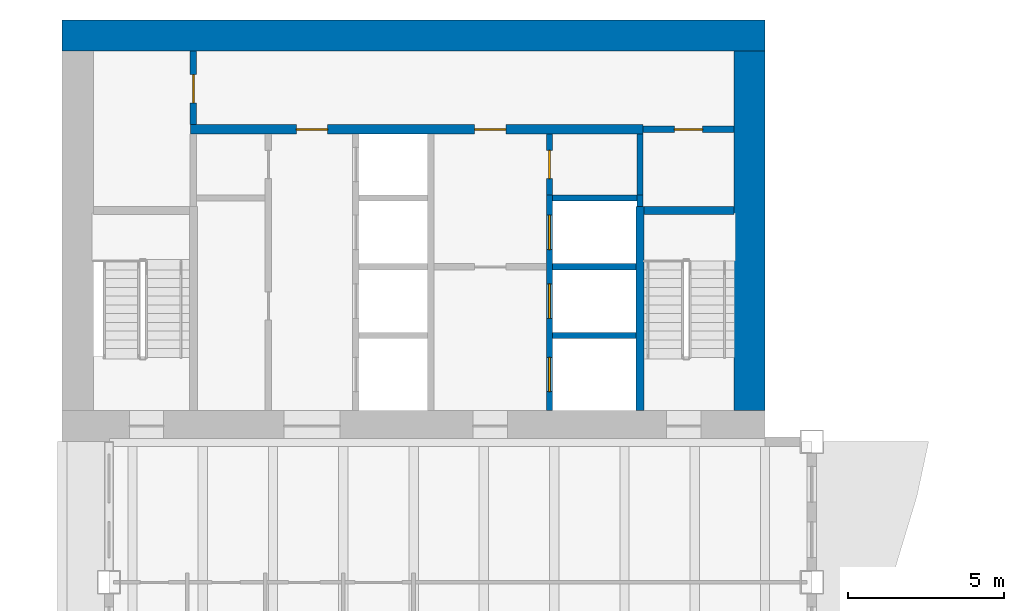
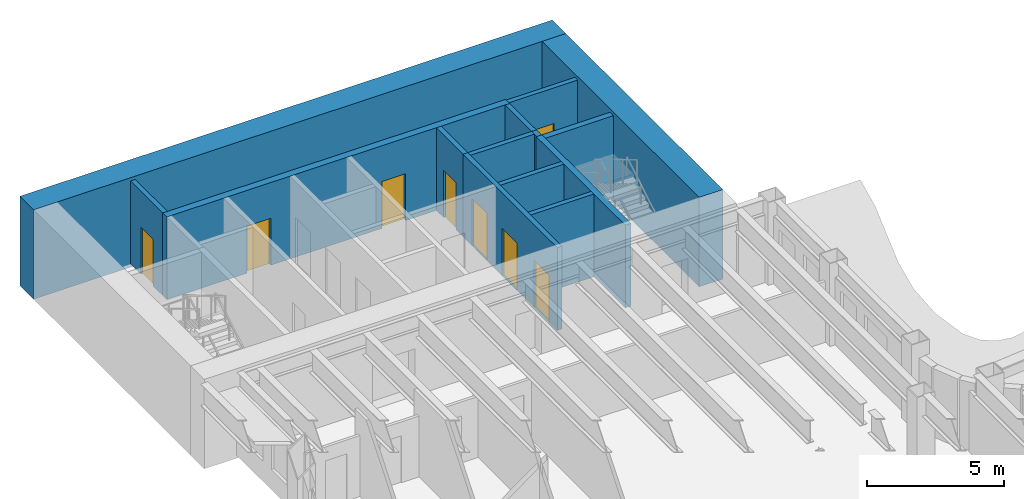
# One storey, part 9 of 16: 14 walls, 8 doors, 8 openings.
"""IFC4 building model written with IfcOpenShell, lengths in metres."""

from ifc_helpers import new_model, si_unit, direction, frame, frame_2d, origin, place, context, subcontext, project, spatial, rectangle, extrude, material, layer, layer_set, type_object, element, fill, save


model = new_model("IFC4")

# Units and contexts
model_context = context("Model", 3, precision=1e-05, world=origin(), true_north=direction((0.0, 1.0)))
body_context = subcontext(model_context, "Body", "Model", "MODEL_VIEW")
ifc_project = project(units=[si_unit("LENGTHUNIT", "METRE"), si_unit("AREAUNIT", "SQUARE_METRE"), si_unit("VOLUMEUNIT", "CUBIC_METRE"), si_unit("PLANEANGLEUNIT", "RADIAN"), si_unit("MASSUNIT", "GRAM", prefix="KILO")], contexts=[model_context])

# Site, building, storey
site_placement = place(None, origin())
site = spatial("IfcSite", under=ifc_project, at=site_placement, CompositionType="ELEMENT")
building_placement = place(site_placement, origin())
building = spatial("IfcBuilding", under=site, at=building_placement, Name="Sennacour Bend Tower", CompositionType="ELEMENT")
storey_placement = place(building_placement, frame((0.0, 0.0, 239.0)))
storey = spatial("IfcBuildingStorey", under=building, at=storey_placement, Name="L55", CompositionType="ELEMENT", Elevation=239.0)

# Walls
ifc_material_1 = material(Name="Concrete C60/75", Category="concrete")
ifc_layer_1 = layer(ifc_material_1, 1.0, Name="Concrete C60/75", Category="concrete")
ifc_layer_set_1 = layer_set([ifc_layer_1], Name="Concrete C60/75")
wall_type_1 = type_object("IfcWallType", Name="Core wall 1000 C60/75", PredefinedType="SHEAR", material=ifc_layer_set_1)
wall_1_placement = place(storey_placement, frame((0.0, 49.0, -0.14990234375), z_axis=(0.0, 0.0, 1.0), x_axis=(1.0, 0.0, 0.0)))
element("IfcWall", 1, at=wall_1_placement, inside=storey, type_object=wall_type_1, Name="Core B wall L55 N", PredefinedType="SHEAR", context=body_context, shape_type="SweptSolid", body=[
    extrude(rectangle(XDim=22.5, YDim=1.0, at=frame_2d((11.25, 0.0))), origin(), (0.0, 0.0, 1.0), 4.0),
])
wall_2_placement = place(storey_placement, frame((22.0, 37.0, -0.14990234375), z_axis=(0.0, 0.0, 1.0), x_axis=(0.0, 1.0, 0.0)))
element("IfcWall", 2, at=wall_2_placement, inside=storey, type_object=wall_type_1, Name="Core B wall L55 E", PredefinedType="SHEAR", context=body_context, shape_type="SweptSolid", body=[
    extrude(rectangle(XDim=11.5, YDim=1.0, at=frame_2d((5.75, 0.0))), origin(), (0.0, 0.0, 1.0), 4.0),
])

# Wall, opening, door
ifc_material_2 = material(Name="Fire-rated plasterboard partition on steel studs", Category="steel")
ifc_layer_2 = layer(ifc_material_2, 0.199951171875, Name="Fire-rated plasterboard partition on steel studs", Category="steel")
ifc_layer_set_2 = layer_set([ifc_layer_2], Name="Fire-rated plasterboard partition on steel studs")
wall_type_2 = type_object("IfcWallType", Name="Rated partition 200", PredefinedType="PARTITIONING", material=ifc_layer_set_2)
wall_3_placement = place(storey_placement, frame((4.199951171875, 46.14990234375, 0.0), z_axis=(0.0, 0.0, 1.0), x_axis=(0.0, 1.0, 0.0)))
wall_3 = element("IfcWall", 3, at=wall_3_placement, inside=storey, type_object=wall_type_2, Name="P-L55-W006b", PredefinedType="PARTITIONING", context=body_context, shape_type="SweptSolid", body=[
    extrude(rectangle(XDim=2.35009765625, YDim=0.199951171875, at=frame_2d((1.175048828125, 0.0))), origin(), (0.0, 0.0, 1.0), 3.699951171875),
])
opening_1_placement = place(wall_3_placement, frame((0.7001953125, 0.0, 0.0)))
opening_1 = element("IfcOpeningElement", 4, at=opening_1_placement, cuts=wall_3, Name="Opening SV", PredefinedType="OPENING", context=body_context, shape_type="SweptSolid", body=[
    extrude(rectangle(XDim=0.89990234375, YDim=2.10009765625, at=frame_2d((0.449951171875, 1.050048828125))), frame((0.0, 0.10986328125, 0.0), z_axis=(0.0, -1.0, 0.0), x_axis=(1.0, 0.0, 0.0)), (0.0, 0.0, 1.0), 0.219970703125),
])
ifc_material_3 = material(Name="Painted steel", Category="steel")
door_type_1 = type_object("IfcDoorType", Name="DR-SERVICE-900", OperationType="NOTDEFINED", PredefinedType="DOOR", material=ifc_material_3)
door_1_placement = place(opening_1_placement, origin())
door_1 = element("IfcDoor", 5, at=door_1_placement, inside=storey, type_object=door_type_1, Name="Door", OperationType="SINGLE_SWING_LEFT", OverallHeight=2.10009765625, OverallWidth=0.89990234375, PredefinedType="DOOR", context=body_context, shape_type="SweptSolid", body=[
    extrude(rectangle(XDim=0.89990234375, YDim=2.10009765625, at=frame_2d((0.449951171875, 1.050048828125))), frame((0.0, 0.02490234375, 0.0), z_axis=(0.0, -1.0, 0.0), x_axis=(1.0, 0.0, 0.0)), (0.0, 0.0, 1.0), 0.050048828125),
])
fill(opening_1, door_1)

wall_4_placement = place(storey_placement, frame((15.60009765625, 43.89990234375, 0.0), z_axis=(0.0, 0.0, 1.0), x_axis=(0.0, 1.0, 0.0)))
wall_4 = element("IfcWall", 6, at=wall_4_placement, inside=storey, type_object=wall_type_2, Name="P-L55-W016", PredefinedType="PARTITIONING", context=body_context, shape_type="SweptSolid", body=[
    extrude(rectangle(XDim=1.9501953125, YDim=0.199951171875, at=frame_2d((0.97509765625, 0.0))), origin(), (0.0, 0.0, 1.0), 3.699951171875),
])
opening_2_placement = place(wall_4_placement, frame((0.525146484375, 0.0, 0.0)))
opening_2 = element("IfcOpeningElement", 7, at=opening_2_placement, cuts=wall_4, Name="Opening SV", PredefinedType="OPENING", context=body_context, shape_type="SweptSolid", body=[
    extrude(rectangle(XDim=0.89990234375, YDim=2.10009765625, at=frame_2d((0.449951171875, 1.050048828125))), frame((0.0, 0.10986328125, 0.0), z_axis=(0.0, -1.0, 0.0), x_axis=(1.0, 0.0, 0.0)), (0.0, 0.0, 1.0), 0.219970703125),
])
door_2_placement = place(opening_2_placement, origin())
door_2 = element("IfcDoor", 8, at=door_2_placement, inside=storey, type_object=door_type_1, Name="Door", OperationType="SINGLE_SWING_RIGHT", OverallHeight=2.10009765625, OverallWidth=0.89990234375, PredefinedType="DOOR", context=body_context, shape_type="SweptSolid", body=[
    extrude(rectangle(XDim=0.89990234375, YDim=2.10009765625, at=frame_2d((0.449951171875, 1.050048828125))), frame((0.0, 0.02490234375, 0.0), z_axis=(0.0, -1.0, 0.0), x_axis=(1.0, 0.0, 0.0)), (0.0, 0.0, 1.0), 0.050048828125),
])
fill(opening_2, door_2)

# Wall
wall_5_placement = place(storey_placement, frame((18.5, 43.89990234375, 0.0), z_axis=(0.0, 0.0, 1.0), x_axis=(0.0, 1.0, 0.0)))
element("IfcWall", 9, at=wall_5_placement, inside=storey, type_object=wall_type_2, Name="P-L55-W020", PredefinedType="PARTITIONING", context=body_context, shape_type="SweptSolid", body=[
    extrude(rectangle(XDim=1.9501953125, YDim=0.199951171875, at=frame_2d((0.97509765625, 0.0))), origin(), (0.0, 0.0, 1.0), 3.699951171875),
])

# Wall, opening, door
wall_6_placement = place(storey_placement, frame((18.60009765625, 46.0, 0.0), z_axis=(0.0, 0.0, 1.0), x_axis=(1.0, 0.0, 0.0)))
wall_6 = element("IfcWall", 10, at=wall_6_placement, inside=storey, type_object=wall_type_2, Name="P-L55-W089", PredefinedType="PARTITIONING", context=body_context, shape_type="SweptSolid", body=[
    extrude(rectangle(XDim=2.89990234375, YDim=0.199951171875, at=frame_2d((1.449951171875, 0.0))), origin(), (0.0, 0.0, 1.0), 3.699951171875),
])
opening_3_placement = place(wall_6_placement, frame((1.0, 0.0, 0.0)))
opening_3 = element("IfcOpeningElement", 11, at=opening_3_placement, cuts=wall_6, Name="Opening SV", PredefinedType="OPENING", context=body_context, shape_type="SweptSolid", body=[
    extrude(rectangle(XDim=0.89990234375, YDim=2.10009765625, at=frame_2d((0.449951171875, 1.050048828125))), frame((0.0, 0.10986328125, 0.0), z_axis=(0.0, -1.0, 0.0), x_axis=(1.0, 0.0, 0.0)), (0.0, 0.0, 1.0), 0.219970703125),
])
door_3_placement = place(opening_3_placement, origin())
door_3 = element("IfcDoor", 12, at=door_3_placement, inside=storey, type_object=door_type_1, Name="Door", OperationType="SINGLE_SWING_LEFT", OverallHeight=2.10009765625, OverallWidth=0.89990234375, PredefinedType="DOOR", context=body_context, shape_type="SweptSolid", body=[
    extrude(rectangle(XDim=0.89990234375, YDim=2.10009765625, at=frame_2d((0.449951171875, 1.050048828125))), frame((0.0, 0.02490234375, 0.0), z_axis=(0.0, -1.0, 0.0), x_axis=(1.0, 0.0, 0.0)), (0.0, 0.0, 1.0), 0.050048828125),
])
fill(opening_3, door_3)

# Wall, openings, doors
ifc_material_4 = material(Name="Concrete C50/60", Category="concrete")
ifc_layer_3 = layer(ifc_material_4, 0.199951171875, Name="Concrete C50/60", Category="concrete")
ifc_layer_set_3 = layer_set([ifc_layer_3], Name="Concrete C50/60")
wall_type_3 = type_object("IfcWallType", Name="Shaft wall 200", PredefinedType="SOLIDWALL", material=ifc_layer_set_3)
wall_7_placement = place(storey_placement, frame((15.60009765625, 37.0, 0.0), z_axis=(0.0, 0.0, 1.0), x_axis=(0.0, 1.0, 0.0)))
wall_7 = element("IfcWall", 13, at=wall_7_placement, inside=storey, type_object=wall_type_3, Name="P-L55-W015", PredefinedType="SOLIDWALL", context=body_context, shape_type="SweptSolid", body=[
    extrude(rectangle(XDim=6.89990234375, YDim=0.199951171875, at=frame_2d((3.449951171875, 0.0))), origin(), (0.0, 0.0, 1.0), 3.699951171875),
])
opening_4_placement = place(wall_7_placement, frame((0.60009765625, 0.0, 0.011962890625)))
opening_4 = element("IfcOpeningElement", 14, at=opening_4_placement, cuts=wall_7, Name="Opening FLD", PredefinedType="OPENING", context=body_context, shape_type="SweptSolid", body=[
    extrude(rectangle(XDim=1.10009765625, YDim=2.10009765625, at=frame_2d((0.550048828125, 1.050048828125))), frame((0.0, 0.10986328125, 0.0), z_axis=(0.0, -1.0, 0.0), x_axis=(1.0, 0.0, 0.0)), (0.0, 0.0, 1.0), 0.219970703125),
])
opening_5_placement = place(wall_7_placement, frame((2.949951171875, 0.0, 0.011962890625)))
opening_5 = element("IfcOpeningElement", 15, at=opening_5_placement, cuts=wall_7, Name="Opening FLD", PredefinedType="OPENING", context=body_context, shape_type="SweptSolid", body=[
    extrude(rectangle(XDim=1.10009765625, YDim=2.10009765625, at=frame_2d((0.550048828125, 1.050048828125))), frame((0.0, 0.10986328125, 0.0), z_axis=(0.0, -1.0, 0.0), x_axis=(1.0, 0.0, 0.0)), (0.0, 0.0, 1.0), 0.219970703125),
])
opening_6_placement = place(wall_7_placement, frame((5.14990234375, 0.0, 0.011962890625)))
opening_6 = element("IfcOpeningElement", 16, at=opening_6_placement, cuts=wall_7, Name="Opening LD", PredefinedType="OPENING", context=body_context, shape_type="SweptSolid", body=[
    extrude(rectangle(XDim=1.10009765625, YDim=2.10009765625, at=frame_2d((0.550048828125, 1.050048828125))), frame((0.0, 0.10986328125, 0.0), z_axis=(0.0, -1.0, 0.0), x_axis=(1.0, 0.0, 0.0)), (0.0, 0.0, 1.0), 0.219970703125),
])
ifc_material_5 = material(Name="Stainless steel", Category="steel")
door_type_2 = type_object("IfcDoorType", Name="DR-FF-LANDING-1100", OperationType="NOTDEFINED", PredefinedType="DOOR", material=ifc_material_5)
door_4_placement = place(opening_4_placement, origin())
door_4 = element("IfcDoor", 17, at=door_4_placement, inside=storey, type_object=door_type_2, Name="Fire service lift landing door FB1", OperationType="SLIDING_TO_RIGHT", OverallHeight=2.10009765625, OverallWidth=1.10009765625, PredefinedType="DOOR", context=body_context, shape_type="SweptSolid", body=[
    extrude(rectangle(XDim=1.10009765625, YDim=2.10009765625, at=frame_2d((0.550048828125, 1.050048828125))), frame((0.0, 0.02490234375, 0.0), z_axis=(0.0, -1.0, 0.0), x_axis=(1.0, 0.0, 0.0)), (0.0, 0.0, 1.0), 0.050048828125),
])
fill(opening_4, door_4)
door_5_placement = place(opening_5_placement, origin())
door_5 = element("IfcDoor", 18, at=door_5_placement, inside=storey, type_object=door_type_2, Name="Fire service lift landing door FB2", OperationType="SLIDING_TO_LEFT", OverallHeight=2.10009765625, OverallWidth=1.10009765625, PredefinedType="DOOR", context=body_context, shape_type="SweptSolid", body=[
    extrude(rectangle(XDim=1.10009765625, YDim=2.10009765625, at=frame_2d((0.550048828125, 1.050048828125))), frame((0.0, 0.02490234375, 0.0), z_axis=(0.0, -1.0, 0.0), x_axis=(1.0, 0.0, 0.0)), (0.0, 0.0, 1.0), 0.050048828125),
])
fill(opening_5, door_5)
door_type_3 = type_object("IfcDoorType", Name="DR-LANDING-1100", OperationType="NOTDEFINED", PredefinedType="DOOR", material=ifc_material_5)
door_6_placement = place(opening_6_placement, origin())
door_6 = element("IfcDoor", 19, at=door_6_placement, inside=storey, type_object=door_type_3, Name="Lift landing door MB5", OperationType="SLIDING_TO_RIGHT", OverallHeight=2.10009765625, OverallWidth=1.10009765625, PredefinedType="DOOR", context=body_context, shape_type="SweptSolid", body=[
    extrude(rectangle(XDim=1.10009765625, YDim=2.10009765625, at=frame_2d((0.550048828125, 1.050048828125))), frame((0.0, 0.02490234375, 0.0), z_axis=(0.0, -1.0, 0.0), x_axis=(1.0, 0.0, 0.0)), (0.0, 0.0, 1.0), 0.050048828125),
])
fill(opening_6, door_6)

# Walls
wall_8_placement = place(storey_placement, frame((18.5, 43.52490234375, 0.0), z_axis=(0.0, 0.0, 1.0), x_axis=(0.0, 1.0, 0.0)))
element("IfcWall", 20, at=wall_8_placement, inside=storey, type_object=wall_type_3, Name="P-L55-W019", PredefinedType="SOLIDWALL", context=body_context, shape_type="SweptSolid", body=[
    extrude(rectangle(XDim=0.375, YDim=0.199951171875, at=frame_2d((0.1875, 0.0))), origin(), (0.0, 0.0, 1.0), 3.699951171875),
])
for number, where, z_axis, x_axis, name in (
    (21, (15.699951171875, 39.39990234375, 0.0), (0.0, 0.0, 1.0), (1.0, 0.0, 0.0), "P-L55-W079"),
    (22, (15.699951171875, 41.60009765625, 0.0), (0.0, 0.0, 1.0), (1.0, 0.0, 0.0), "P-L55-W082"),
):
    element("IfcWall", number, at=place(storey_placement, frame(where, z_axis=z_axis, x_axis=x_axis)), inside=storey, type_object=wall_type_3, Name=name, PredefinedType="SOLIDWALL", context=body_context, shape_type="SweptSolid", body=[
        extrude(rectangle(XDim=2.675048828125, YDim=0.199951171875, at=frame_2d((1.33740234375, 0.0))), origin(), (0.0, 0.0, 1.0), 3.699951171875),
    ])
wall_9_placement = place(storey_placement, frame((15.699951171875, 43.800048828125, 0.0), z_axis=(0.0, 0.0, 1.0), x_axis=(1.0, 0.0, 0.0)))
element("IfcWall", 23, at=wall_9_placement, inside=storey, type_object=wall_type_3, Name="P-L55-W087", PredefinedType="SOLIDWALL", context=body_context, shape_type="SweptSolid", body=[
    extrude(rectangle(XDim=2.699951171875, YDim=0.199951171875, at=frame_2d((1.35009765625, 0.0))), origin(), (0.0, 0.0, 1.0), 3.699951171875),
])

# Wall, openings, doors
ifc_layer_4 = layer(ifc_material_1, 0.300048828125, Name="Concrete C60/75", Category="concrete")
ifc_layer_set_4 = layer_set([ifc_layer_4], Name="Concrete C60/75")
wall_type_4 = type_object("IfcWallType", Name="Spine wall 300", PredefinedType="SHEAR", material=ifc_layer_set_4)
wall_10_placement = place(storey_placement, frame((4.10009765625, 46.0, 0.0), z_axis=(0.0, 0.0, 1.0), x_axis=(1.0, 0.0, 0.0)))
wall_10 = element("IfcWall", 24, at=wall_10_placement, inside=storey, type_object=wall_type_4, Name="P-L55-W088", PredefinedType="SHEAR", context=body_context, shape_type="SweptSolid", body=[
    extrude(rectangle(XDim=14.5, YDim=0.300048828125, at=frame_2d((7.25, 0.0))), origin(), (0.0, 0.0, 1.0), 3.699951171875),
])
opening_7_placement = place(wall_10_placement, frame((3.39990234375, 0.0, 0.0)))
opening_7 = element("IfcOpeningElement", 25, at=opening_7_placement, cuts=wall_10, Name="Opening CD2", PredefinedType="OPENING", context=body_context, shape_type="SweptSolid", body=[
    extrude(rectangle(XDim=1.0, YDim=2.10009765625, at=frame_2d((0.5, 1.050048828125))), frame((0.0, 0.16015625, 0.0), z_axis=(0.0, -1.0, 0.0), x_axis=(1.0, 0.0, 0.0)), (0.0, 0.0, 1.0), 0.320068359375),
])
opening_8_placement = place(wall_10_placement, frame((9.099853515625, 0.0, 0.0)))
opening_8 = element("IfcOpeningElement", 26, at=opening_8_placement, cuts=wall_10, Name="Opening CD2", PredefinedType="OPENING", context=body_context, shape_type="SweptSolid", body=[
    extrude(rectangle(XDim=1.0, YDim=2.10009765625, at=frame_2d((0.5, 1.050048828125))), frame((0.0, 0.16015625, 0.0), z_axis=(0.0, -1.0, 0.0), x_axis=(1.0, 0.0, 0.0)), (0.0, 0.0, 1.0), 0.320068359375),
])
door_type_4 = type_object("IfcDoorType", Name="DR-LOBBY-1000", OperationType="NOTDEFINED", PredefinedType="DOOR", material=ifc_material_3)
door_7_placement = place(opening_7_placement, origin())
door_7 = element("IfcDoor", 27, at=door_7_placement, inside=storey, type_object=door_type_4, Name="Door", OperationType="SINGLE_SWING_LEFT", OverallHeight=2.10009765625, OverallWidth=1.0, PredefinedType="DOOR", context=body_context, shape_type="SweptSolid", body=[
    extrude(rectangle(XDim=1.0, YDim=2.10009765625, at=frame_2d((0.5, 1.050048828125))), frame((0.0, 0.02490234375, 0.0), z_axis=(0.0, -1.0, 0.0), x_axis=(1.0, 0.0, 0.0)), (0.0, 0.0, 1.0), 0.050048828125),
])
fill(opening_7, door_7)
door_8_placement = place(opening_8_placement, origin())
door_8 = element("IfcDoor", 28, at=door_8_placement, inside=storey, type_object=door_type_4, Name="Door", OperationType="SINGLE_SWING_RIGHT", OverallHeight=2.10009765625, OverallWidth=1.0, PredefinedType="DOOR", context=body_context, shape_type="SweptSolid", body=[
    extrude(rectangle(XDim=1.0, YDim=2.10009765625, at=frame_2d((0.5, 1.050048828125))), frame((0.0, 0.02490234375, 0.0), z_axis=(0.0, -1.0, 0.0), x_axis=(1.0, 0.0, 0.0)), (0.0, 0.0, 1.0), 0.050048828125),
])
fill(opening_8, door_8)

# Walls
ifc_layer_5 = layer(ifc_material_1, 0.25, Name="Concrete C60/75", Category="concrete")
ifc_layer_set_5 = layer_set([ifc_layer_5], Name="Concrete C60/75")
wall_type_5 = type_object("IfcWallType", Name="Stair wall 250", PredefinedType="SHEAR", material=ifc_layer_set_5)
wall_11_placement = place(storey_placement, frame((18.5, 37.0, 0.0), z_axis=(0.0, 0.0, 1.0), x_axis=(0.0, 1.0, 0.0)))
element("IfcWall", 29, at=wall_11_placement, inside=storey, type_object=wall_type_5, Name="P-L55-W018", PredefinedType="SHEAR", context=body_context, shape_type="SweptSolid", body=[
    extrude(rectangle(XDim=6.52490234375, YDim=0.25, at=frame_2d((3.262451171875, 0.0))), origin(), (0.0, 0.0, 1.0), 3.699951171875),
])
wall_12_placement = place(storey_placement, frame((18.625, 43.39990234375, 0.0), z_axis=(0.0, 0.0, 1.0), x_axis=(1.0, 0.0, 0.0)))
element("IfcWall", 30, at=wall_12_placement, inside=storey, type_object=wall_type_5, Name="P-L55-W084", PredefinedType="SHEAR", context=body_context, shape_type="SweptSolid", body=[
    extrude(rectangle(XDim=2.875, YDim=0.25, at=frame_2d((1.4375, 0.0))), origin(), (0.0, 0.0, 1.0), 3.699951171875),
])

save(model, "model.ifc")
